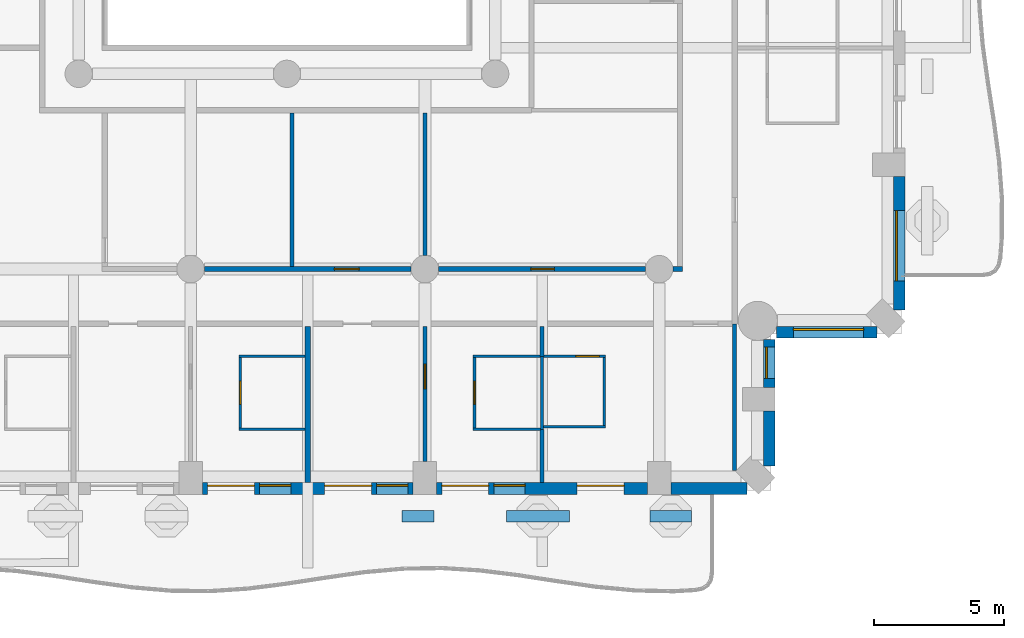
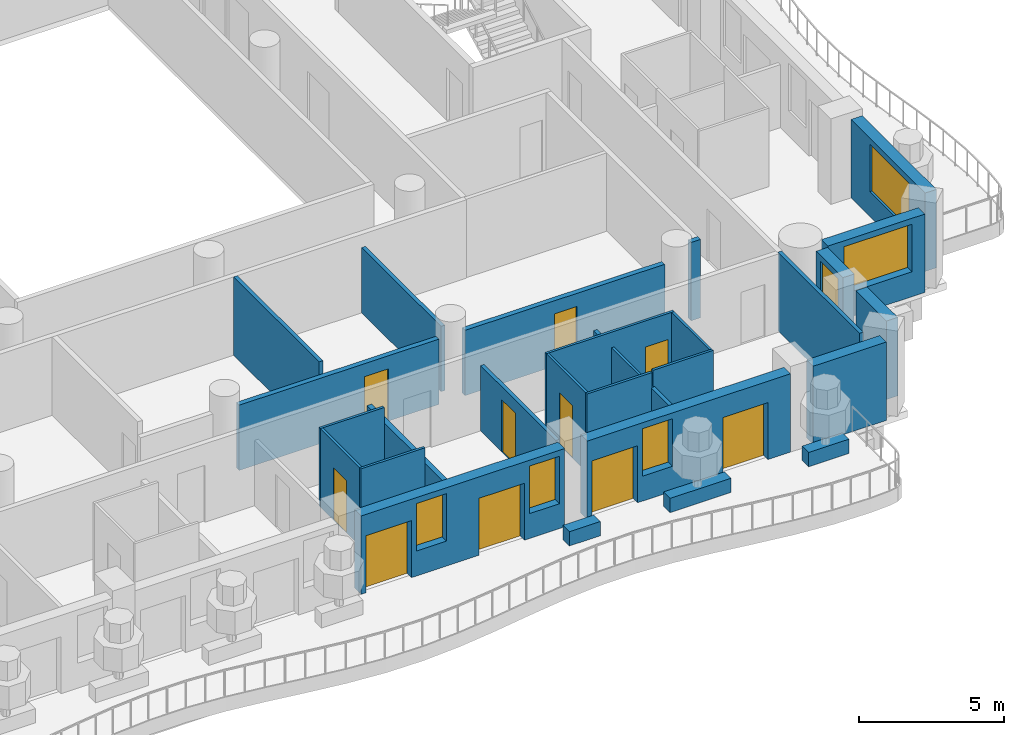
# One storey, part 5 of 19: 29 walls, 10 doors, 6 windows, 16 openings.
"""IFC4 building model written with IfcOpenShell, lengths in metres."""

from ifc_helpers import new_model, si_unit, direction, frame, frame_2d, origin, place, context, subcontext, project, spatial, rectangle, extrude, material, layer, layer_set, type_object, element, fill, save


model = new_model("IFC4")

# Units and contexts
model_context = context("Model", 3, precision=1e-05, world=origin(), true_north=direction((0.0, 1.0)))
body_context = subcontext(model_context, "Body", "Model", "MODEL_VIEW")
ifc_project = project(units=[si_unit("LENGTHUNIT", "METRE"), si_unit("AREAUNIT", "SQUARE_METRE"), si_unit("VOLUMEUNIT", "CUBIC_METRE"), si_unit("PLANEANGLEUNIT", "RADIAN"), si_unit("MASSUNIT", "GRAM", prefix="KILO")], contexts=[model_context])

# Site, building, storey
site_placement = place(None, origin())
site = spatial("IfcSite", under=ifc_project, at=site_placement, CompositionType="ELEMENT")
building_placement = place(site_placement, origin())
building = spatial("IfcBuilding", under=site, at=building_placement, Name="Cypress Arch Tower", CompositionType="ELEMENT")
storey_placement = place(building_placement, frame((0.0, 0.0, 138.300048828125)))
storey = spatial("IfcBuildingStorey", under=building, at=storey_placement, Name="L30", CompositionType="ELEMENT", Elevation=138.300048828125)

# Walls
ifc_material_1 = material(Name="Concrete C40/50, waterproofed", Category="concrete")
ifc_layer_1 = layer(ifc_material_1, 0.449951171875)
ifc_layer_set_1 = layer_set([ifc_layer_1], Name="Balcony planter wall PW450")
wall_type_1 = type_object("IfcWallType", Name="Balcony planter wall PW450", PredefinedType="SOLIDWALL", material=ifc_layer_set_1)
wall_1_placement = place(storey_placement, frame((5.419921875, -27.0, 0.0), z_axis=(0.0, 0.0, 1.0), x_axis=(1.0, 0.0, 0.0)))
element("IfcWall", 1, at=wall_1_placement, inside=storey, type_object=wall_type_1, Name="Balcony planter wall L30-A03.5", PredefinedType="SOLIDWALL", context=body_context, shape_type="SweptSolid", body=[
    extrude(rectangle(XDim=1.22998046875, YDim=0.449951171875, at=frame_2d((0.614990234375, 0.0))), origin(), (0.0, 0.0, 1.0), 0.599853515625),
])
wall_2_placement = place(storey_placement, frame((9.429931640625, -27.0, 0.0), z_axis=(0.0, 0.0, 1.0), x_axis=(1.0, 0.0, 0.0)))
element("IfcWall", 2, at=wall_2_placement, inside=storey, type_object=wall_type_1, Name="Balcony planter wall L30-A03.6", PredefinedType="SOLIDWALL", context=body_context, shape_type="SweptSolid", body=[
    extrude(rectangle(XDim=2.420166015625, YDim=0.449951171875, at=frame_2d((1.2099609375, 0.0))), origin(), (0.0, 0.0, 1.0), 0.599853515625),
])
wall_3_placement = place(storey_placement, frame((14.949951171875, -27.0, 0.0), z_axis=(0.0, 0.0, 1.0), x_axis=(1.0, 0.0, 0.0)))
element("IfcWall", 3, at=wall_3_placement, inside=storey, type_object=wall_type_1, Name="Balcony planter wall L30-A03.7", PredefinedType="SOLIDWALL", context=body_context, shape_type="SweptSolid", body=[
    extrude(rectangle(XDim=1.60009765625, YDim=0.449951171875, at=frame_2d((0.800048828125, 0.0))), origin(), (0.0, 0.0, 1.0), 0.599853515625),
])

# Wall, openings, doors, windows
ifc_material_2 = material(Name="Brick (red buff blend)", Category="masonry")
ifc_layer_2 = layer(ifc_material_2, 0.449951171875)
ifc_layer_set_2 = layer_set([ifc_layer_2], Name="Brick pier and spandrel wall BW450")
wall_type_2 = type_object("IfcWallType", Name="Brick pier and spandrel wall BW450", PredefinedType="SOLIDWALL", material=ifc_layer_set_2)
wall_4_placement = place(storey_placement, frame((-2.25, -25.925048828125, 0.0), z_axis=(0.0, 0.0, 1.0), x_axis=(1.0, 0.0, 0.0)))
wall_4 = element("IfcWall", 4, at=wall_4_placement, inside=storey, type_object=wall_type_2, Name="Brick wall L30 A03.3", PredefinedType="SOLIDWALL", context=body_context, shape_type="SweptSolid", body=[
    extrude(rectangle(XDim=8.10009765625, YDim=0.449951171875, at=frame_2d((4.050048828125, 0.0))), origin(), (0.0, 0.0, 1.0), 3.300048828125),
])
opening_1_placement = place(wall_4_placement, frame((0.199951171875, 0.0, 0.0)))
opening_1 = element("IfcOpeningElement", 5, at=opening_1_placement, cuts=wall_4, Name="Opening D-L30-A03.3.1", PredefinedType="OPENING", context=body_context, shape_type="SweptSolid", body=[
    extrude(rectangle(XDim=1.800048828125, YDim=2.39990234375, at=frame_2d((0.89990234375, 1.199951171875))), frame((0.0, 0.23486328125, 0.0), z_axis=(0.0, -1.0, 0.0), x_axis=(1.0, 0.0, 0.0)), (0.0, 0.0, 1.0), 0.469970703125),
])
opening_2_placement = place(wall_4_placement, frame((2.199951171875, 0.0, 1.050048828125)))
opening_2 = element("IfcOpeningElement", 6, at=opening_2_placement, cuts=wall_4, Name="Opening W120HD", PredefinedType="OPENING", context=body_context, shape_type="SweptSolid", body=[
    extrude(rectangle(XDim=1.199951171875, YDim=2.0, at=frame_2d((0.60009765625, 1.0))), frame((0.0, 0.23486328125, 0.0), z_axis=(0.0, -1.0, 0.0), x_axis=(1.0, 0.0, 0.0)), (0.0, 0.0, 1.0), 0.469970703125),
])
opening_3_placement = place(wall_4_placement, frame((4.699951171875, 0.0, 0.0)))
opening_3 = element("IfcOpeningElement", 7, at=opening_3_placement, cuts=wall_4, Name="Opening D-L30-A03.3.2", PredefinedType="OPENING", context=body_context, shape_type="SweptSolid", body=[
    extrude(rectangle(XDim=1.800048828125, YDim=2.39990234375, at=frame_2d((0.89990234375, 1.199951171875))), frame((0.0, 0.23486328125, 0.0), z_axis=(0.0, -1.0, 0.0), x_axis=(1.0, 0.0, 0.0)), (0.0, 0.0, 1.0), 0.469970703125),
])
opening_4_placement = place(wall_4_placement, frame((6.699951171875, 0.0, 1.050048828125)))
opening_4 = element("IfcOpeningElement", 8, at=opening_4_placement, cuts=wall_4, Name="Opening W120HD", PredefinedType="OPENING", context=body_context, shape_type="SweptSolid", body=[
    extrude(rectangle(XDim=1.199951171875, YDim=2.0, at=frame_2d((0.60009765625, 1.0))), frame((0.0, 0.23486328125, 0.0), z_axis=(0.0, -1.0, 0.0), x_axis=(1.0, 0.0, 0.0)), (0.0, 0.0, 1.0), 0.469970703125),
])
ifc_material_3 = material(Name="Anodised aluminium, bronze finish, laminated low-emissivity double glazing, large-missile impact rated", Category="aluminium")
door_type_1 = type_object("IfcDoorType", Name="Balcony sliding door 1800x2400", OperationType="SLIDING_TO_LEFT", PredefinedType="DOOR", material=ifc_material_3)
door_1_placement = place(opening_1_placement, origin())
door_1 = element("IfcDoor", 9, at=door_1_placement, inside=storey, type_object=door_type_1, Name="Balcony door L30 A03.3.1", OperationType="SLIDING_TO_LEFT", OverallHeight=2.39990234375, OverallWidth=1.800048828125, PredefinedType="DOOR", context=body_context, shape_type="SweptSolid", body=[
    extrude(rectangle(XDim=1.800048828125, YDim=2.39990234375, at=frame_2d((0.89990234375, 1.199951171875))), frame((0.0, 0.1298828125, 0.0), z_axis=(0.0, -1.0, 0.0), x_axis=(1.0, 0.0, 0.0)), (0.0, 0.0, 1.0), 0.050048828125),
])
fill(opening_1, door_1)
door_2_placement = place(opening_3_placement, origin())
door_2 = element("IfcDoor", 10, at=door_2_placement, inside=storey, type_object=door_type_1, Name="Balcony door L30 A03.3.2", OperationType="SLIDING_TO_LEFT", OverallHeight=2.39990234375, OverallWidth=1.800048828125, PredefinedType="DOOR", context=body_context, shape_type="SweptSolid", body=[
    extrude(rectangle(XDim=1.800048828125, YDim=2.39990234375, at=frame_2d((0.89990234375, 1.199951171875))), frame((0.0, 0.1298828125, 0.0), z_axis=(0.0, -1.0, 0.0), x_axis=(1.0, 0.0, 0.0)), (0.0, 0.0, 1.0), 0.050048828125),
])
fill(opening_3, door_2)
ifc_material_4 = material(Name="Anodised aluminium, bronze finish, laminated low-emissivity double glazing, large-missile impact rated", Category="aluminium")
window_type_1 = type_object("IfcWindowType", Name="Window Hotel 1200x2000 debris-rated", PartitioningType="SINGLE_PANEL", PredefinedType="WINDOW", material=ifc_material_4)
window_1_placement = place(opening_2_placement, origin())
window_1 = element("IfcWindow", 11, at=window_1_placement, inside=storey, type_object=window_type_1, Name="Window L30 A03.3.1", OverallHeight=2.0, OverallWidth=1.199951171875, PartitioningType="SINGLE_PANEL", PredefinedType="WINDOW", context=body_context, shape_type="SweptSolid", body=[
    extrude(rectangle(XDim=1.199951171875, YDim=2.0, at=frame_2d((0.60009765625, 1.0))), frame((0.0, 0.135009765625, 0.0), z_axis=(0.0, -1.0, 0.0), x_axis=(1.0, 0.0, 0.0)), (0.0, 0.0, 1.0), 0.06005859375),
])
fill(opening_2, window_1)
window_2_placement = place(opening_4_placement, origin())
window_2 = element("IfcWindow", 12, at=window_2_placement, inside=storey, type_object=window_type_1, Name="Window L30 A03.3.2", OverallHeight=2.0, OverallWidth=1.199951171875, PartitioningType="SINGLE_PANEL", PredefinedType="WINDOW", context=body_context, shape_type="SweptSolid", body=[
    extrude(rectangle(XDim=1.199951171875, YDim=2.0, at=frame_2d((0.60009765625, 1.0))), frame((0.0, 0.135009765625, 0.0), z_axis=(0.0, -1.0, 0.0), x_axis=(1.0, 0.0, 0.0)), (0.0, 0.0, 1.0), 0.06005859375),
])
fill(opening_4, window_2)

# Wall, openings, doors, window
wall_5_placement = place(storey_placement, frame((6.75, -25.925048828125, 0.0), z_axis=(0.0, 0.0, 1.0), x_axis=(1.0, 0.0, 0.0)))
wall_5 = element("IfcWall", 13, at=wall_5_placement, inside=storey, type_object=wall_type_2, Name="Brick wall L30 A03.4", PredefinedType="SOLIDWALL", context=body_context, shape_type="SweptSolid", body=[
    extrude(rectangle(XDim=8.10009765625, YDim=0.449951171875, at=frame_2d((4.050048828125, 0.0))), origin(), (0.0, 0.0, 1.0), 3.300048828125),
])
opening_5_placement = place(wall_5_placement, frame((0.199951171875, 0.0, 0.0)))
opening_5 = element("IfcOpeningElement", 14, at=opening_5_placement, cuts=wall_5, Name="Opening D-L30-A03.4.1", PredefinedType="OPENING", context=body_context, shape_type="SweptSolid", body=[
    extrude(rectangle(XDim=1.800048828125, YDim=2.39990234375, at=frame_2d((0.89990234375, 1.199951171875))), frame((0.0, 0.23486328125, 0.0), z_axis=(0.0, -1.0, 0.0), x_axis=(1.0, 0.0, 0.0)), (0.0, 0.0, 1.0), 0.469970703125),
])
opening_6_placement = place(wall_5_placement, frame((2.199951171875, 0.0, 1.050048828125)))
opening_6 = element("IfcOpeningElement", 15, at=opening_6_placement, cuts=wall_5, Name="Opening W120HD", PredefinedType="OPENING", context=body_context, shape_type="SweptSolid", body=[
    extrude(rectangle(XDim=1.199951171875, YDim=2.0, at=frame_2d((0.60009765625, 1.0))), frame((0.0, 0.23486328125, 0.0), z_axis=(0.0, -1.0, 0.0), x_axis=(1.0, 0.0, 0.0)), (0.0, 0.0, 1.0), 0.469970703125),
])
opening_7_placement = place(wall_5_placement, frame((5.39990234375, 0.0, 0.0)))
opening_7 = element("IfcOpeningElement", 16, at=opening_7_placement, cuts=wall_5, Name="Opening D-L30-A03.4.2", PredefinedType="OPENING", context=body_context, shape_type="SweptSolid", body=[
    extrude(rectangle(XDim=1.800048828125, YDim=2.39990234375, at=frame_2d((0.89990234375, 1.199951171875))), frame((0.0, 0.23486328125, 0.0), z_axis=(0.0, -1.0, 0.0), x_axis=(1.0, 0.0, 0.0)), (0.0, 0.0, 1.0), 0.469970703125),
])
door_3_placement = place(opening_5_placement, origin())
door_3 = element("IfcDoor", 17, at=door_3_placement, inside=storey, type_object=door_type_1, Name="Balcony door L30 A03.4.1", OperationType="SLIDING_TO_LEFT", OverallHeight=2.39990234375, OverallWidth=1.800048828125, PredefinedType="DOOR", context=body_context, shape_type="SweptSolid", body=[
    extrude(rectangle(XDim=1.800048828125, YDim=2.39990234375, at=frame_2d((0.89990234375, 1.199951171875))), frame((0.0, 0.1298828125, 0.0), z_axis=(0.0, -1.0, 0.0), x_axis=(1.0, 0.0, 0.0)), (0.0, 0.0, 1.0), 0.050048828125),
])
fill(opening_5, door_3)
door_4_placement = place(opening_7_placement, origin())
door_4 = element("IfcDoor", 18, at=door_4_placement, inside=storey, type_object=door_type_1, Name="Balcony door L30 A03.4.2", OperationType="SLIDING_TO_LEFT", OverallHeight=2.39990234375, OverallWidth=1.800048828125, PredefinedType="DOOR", context=body_context, shape_type="SweptSolid", body=[
    extrude(rectangle(XDim=1.800048828125, YDim=2.39990234375, at=frame_2d((0.89990234375, 1.199951171875))), frame((0.0, 0.1298828125, 0.0), z_axis=(0.0, -1.0, 0.0), x_axis=(1.0, 0.0, 0.0)), (0.0, 0.0, 1.0), 0.050048828125),
])
fill(opening_7, door_4)
window_3_placement = place(opening_6_placement, origin())
window_3 = element("IfcWindow", 19, at=window_3_placement, inside=storey, type_object=window_type_1, Name="Window L30 A03.4.1", OverallHeight=2.0, OverallWidth=1.199951171875, PartitioningType="SINGLE_PANEL", PredefinedType="WINDOW", context=body_context, shape_type="SweptSolid", body=[
    extrude(rectangle(XDim=1.199951171875, YDim=2.0, at=frame_2d((0.60009765625, 1.0))), frame((0.0, 0.135009765625, 0.0), z_axis=(0.0, -1.0, 0.0), x_axis=(1.0, 0.0, 0.0)), (0.0, 0.0, 1.0), 0.06005859375),
])
fill(opening_6, window_3)

# Walls
wall_6_placement = place(storey_placement, frame((15.75, -25.925048828125, 0.0), z_axis=(0.0, 0.0, 1.0), x_axis=(1.0, 0.0, 0.0)))
element("IfcWall", 20, at=wall_6_placement, inside=storey, type_object=wall_type_2, Name="Brick wall L30 A03.5", PredefinedType="SOLIDWALL", context=body_context, shape_type="SweptSolid", body=[
    extrude(rectangle(XDim=2.91357421875, YDim=0.449951171875, at=frame_2d((1.456787109375, 0.0))), origin(), (0.0, 0.0, 1.0), 3.300048828125),
])
wall_7_placement = place(storey_placement, frame((19.52490234375, -25.063720703125, 0.0), z_axis=(0.0, 0.0, 1.0), x_axis=(0.0, 1.0, 0.0)))
element("IfcWall", 21, at=wall_7_placement, inside=storey, type_object=wall_type_2, Name="Brick wall L30 A04.0", PredefinedType="SOLIDWALL", context=body_context, shape_type="SweptSolid", body=[
    extrude(rectangle(XDim=2.11376953125, YDim=0.449951171875, at=frame_2d((1.056884765625, 0.0))), origin(), (0.0, 0.0, 1.0), 3.300048828125),
])

# Wall, opening, window
wall_8_placement = place(storey_placement, frame((19.52490234375, -22.050048828125, 0.0), z_axis=(0.0, 0.0, 1.0), x_axis=(0.0, 1.0, 0.0)))
wall_8 = element("IfcWall", 22, at=wall_8_placement, inside=storey, type_object=wall_type_2, Name="Brick wall L30 A04.1", PredefinedType="SOLIDWALL", context=body_context, shape_type="SweptSolid", body=[
    extrude(rectangle(XDim=1.843017578125, YDim=0.449951171875, at=frame_2d((0.92138671875, 0.0))), origin(), (0.0, 0.0, 1.0), 3.300048828125),
])
opening_8_placement = place(wall_8_placement, frame((0.35009765625, 0.0, 1.050048828125)))
opening_8 = element("IfcOpeningElement", 23, at=opening_8_placement, cuts=wall_8, Name="Opening W120H", PredefinedType="OPENING", context=body_context, shape_type="SweptSolid", body=[
    extrude(rectangle(XDim=1.199951171875, YDim=2.0, at=frame_2d((0.60009765625, 1.0))), frame((0.0, 0.23486328125, 0.0), z_axis=(0.0, -1.0, 0.0), x_axis=(1.0, 0.0, 0.0)), (0.0, 0.0, 1.0), 0.469970703125),
])
ifc_material_5 = material(Name="Anodised aluminium, bronze finish, clear low-emissivity double glazing", Category="aluminium")
window_type_2 = type_object("IfcWindowType", Name="Window Hotel 1200x2000", PartitioningType="SINGLE_PANEL", PredefinedType="WINDOW", material=ifc_material_5)
window_4_placement = place(opening_8_placement, origin())
window_4 = element("IfcWindow", 24, at=window_4_placement, inside=storey, type_object=window_type_2, Name="Window L30 A04.1.1", OverallHeight=2.0, OverallWidth=1.199951171875, PartitioningType="SINGLE_PANEL", PredefinedType="WINDOW", context=body_context, shape_type="SweptSolid", body=[
    extrude(rectangle(XDim=1.199951171875, YDim=2.0, at=frame_2d((0.60009765625, 1.0))), frame((0.0, 0.135009765625, 0.0), z_axis=(0.0, -1.0, 0.0), x_axis=(1.0, 0.0, 0.0)), (0.0, 0.0, 1.0), 0.06005859375),
])
fill(opening_8, window_4)

wall_9_placement = place(storey_placement, frame((19.806884765625, -19.925048828125, 0.0), z_axis=(0.0, 0.0, 1.0), x_axis=(1.0, 0.0, 0.0)))
wall_9 = element("IfcWall", 25, at=wall_9_placement, inside=storey, type_object=wall_type_2, Name="Brick wall L30 A05.0", PredefinedType="SOLIDWALL", context=body_context, shape_type="SweptSolid", body=[
    extrude(rectangle(XDim=3.856689453125, YDim=0.449951171875, at=frame_2d((1.92822265625, 0.0))), origin(), (0.0, 0.0, 1.0), 3.300048828125),
])
opening_9_placement = place(wall_9_placement, frame((0.64306640625, 0.0, 1.050048828125)))
opening_9 = element("IfcOpeningElement", 26, at=opening_9_placement, cuts=wall_9, Name="Opening W270H", PredefinedType="OPENING", context=body_context, shape_type="SweptSolid", body=[
    extrude(rectangle(XDim=2.699951171875, YDim=2.0, at=frame_2d((1.35009765625, 1.0))), frame((0.0, 0.23486328125, 0.0), z_axis=(0.0, -1.0, 0.0), x_axis=(1.0, 0.0, 0.0)), (0.0, 0.0, 1.0), 0.469970703125),
])
ifc_material_6 = material(Name="Anodised aluminium, bronze finish, clear low-emissivity double glazing", Category="aluminium")
window_type_3 = type_object("IfcWindowType", Name="Window Hotel 2700x2000", PartitioningType="SINGLE_PANEL", PredefinedType="WINDOW", material=ifc_material_6)
window_5_placement = place(opening_9_placement, origin())
window_5 = element("IfcWindow", 27, at=window_5_placement, inside=storey, type_object=window_type_3, Name="Window L30 A05.0.1", OverallHeight=2.0, OverallWidth=2.699951171875, PartitioningType="SINGLE_PANEL", PredefinedType="WINDOW", context=body_context, shape_type="SweptSolid", body=[
    extrude(rectangle(XDim=2.699951171875, YDim=2.0, at=frame_2d((1.35009765625, 1.0))), frame((0.0, 0.135009765625, 0.0), z_axis=(0.0, -1.0, 0.0), x_axis=(1.0, 0.0, 0.0)), (0.0, 0.0, 1.0), 0.06005859375),
])
fill(opening_9, window_5)

wall_10_placement = place(storey_placement, frame((24.52490234375, -19.063720703125, 0.0), z_axis=(0.0, 0.0, 1.0), x_axis=(0.0, 1.0, 0.0)))
wall_10 = element("IfcWall", 28, at=wall_10_placement, inside=storey, type_object=wall_type_2, Name="Brick wall L30 A06.0", PredefinedType="SOLIDWALL", context=body_context, shape_type="SweptSolid", body=[
    extrude(rectangle(XDim=5.11376953125, YDim=0.449951171875, at=frame_2d((2.556884765625, 0.0))), origin(), (0.0, 0.0, 1.0), 3.300048828125),
])
opening_10_placement = place(wall_10_placement, frame((1.113525390625, 0.0, 1.050048828125)))
opening_10 = element("IfcOpeningElement", 29, at=opening_10_placement, cuts=wall_10, Name="Opening W270HD", PredefinedType="OPENING", context=body_context, shape_type="SweptSolid", body=[
    extrude(rectangle(XDim=2.699951171875, YDim=2.0, at=frame_2d((1.35009765625, 1.0))), frame((0.0, 0.23486328125, 0.0), z_axis=(0.0, -1.0, 0.0), x_axis=(1.0, 0.0, 0.0)), (0.0, 0.0, 1.0), 0.469970703125),
])
ifc_material_7 = material(Name="Anodised aluminium, bronze finish, laminated low-emissivity double glazing, large-missile impact rated", Category="aluminium")
window_type_4 = type_object("IfcWindowType", Name="Window Hotel 2700x2000 debris-rated", PartitioningType="SINGLE_PANEL", PredefinedType="WINDOW", material=ifc_material_7)
window_6_placement = place(opening_10_placement, origin())
window_6 = element("IfcWindow", 30, at=window_6_placement, inside=storey, type_object=window_type_4, Name="Window L30 A06.0.1", OverallHeight=2.0, OverallWidth=2.699951171875, PartitioningType="SINGLE_PANEL", PredefinedType="WINDOW", context=body_context, shape_type="SweptSolid", body=[
    extrude(rectangle(XDim=2.699951171875, YDim=2.0, at=frame_2d((1.35009765625, 1.0))), frame((0.0, 0.135009765625, 0.0), z_axis=(0.0, -1.0, 0.0), x_axis=(1.0, 0.0, 0.0)), (0.0, 0.0, 1.0), 0.06005859375),
])
fill(opening_10, window_6)

# Wall, opening, door
ifc_material_8 = material(Name="Concrete blockwork, plastered, rated", Category="masonry")
ifc_layer_3 = layer(ifc_material_8, 0.199951171875)
ifc_layer_set_3 = layer_set([ifc_layer_3], Name="Corridor wall FW200")
wall_type_3 = type_object("IfcWallType", Name="Corridor wall FW200", PredefinedType="PARTITIONING", material=ifc_layer_set_3)
wall_11_placement = place(storey_placement, frame((-2.175048828125, -17.5, 0.0), z_axis=(0.0, 0.0, 1.0), x_axis=(1.0, 0.0, 0.0)))
wall_11 = element("IfcWall", 31, at=wall_11_placement, inside=storey, type_object=wall_type_3, Name="Corridor wall", PredefinedType="PARTITIONING", context=body_context, shape_type="SweptSolid", body=[
    extrude(rectangle(XDim=7.949951171875, YDim=0.199951171875, at=frame_2d((3.97509765625, 0.0))), origin(), (0.0, 0.0, 1.0), 2.75),
])
opening_11_placement = place(wall_11_placement, frame((5.0, 0.0, 0.0)))
opening_11 = element("IfcOpeningElement", 32, at=opening_11_placement, cuts=wall_11, Name="Opening D02", PredefinedType="OPENING", context=body_context, shape_type="SweptSolid", body=[
    extrude(rectangle(XDim=0.949951171875, YDim=2.199951171875, at=frame_2d((0.47509765625, 1.10009765625))), frame((0.0, 0.10986328125, 0.0), z_axis=(0.0, -1.0, 0.0), x_axis=(1.0, 0.0, 0.0)), (0.0, 0.0, 1.0), 0.219970703125),
])
ifc_material_9 = material(Name="Timber flush door, fire resisting", Category="wood")
door_type_2 = type_object("IfcDoorType", Name="Room door D02 950x2200", OperationType="SINGLE_SWING_LEFT", PredefinedType="DOOR", material=ifc_material_9)
door_5_placement = place(opening_11_placement, origin())
door_5 = element("IfcDoor", 33, at=door_5_placement, inside=storey, type_object=door_type_2, Name="Room door", OperationType="SINGLE_SWING_LEFT", OverallHeight=2.199951171875, OverallWidth=0.949951171875, PredefinedType="DOOR", context=body_context, shape_type="SweptSolid", body=[
    extrude(rectangle(XDim=0.949951171875, YDim=2.199951171875, at=frame_2d((0.47509765625, 1.10009765625))), frame((0.0, 0.02490234375, 0.0), z_axis=(0.0, -1.0, 0.0), x_axis=(1.0, 0.0, 0.0)), (0.0, 0.0, 1.0), 0.050048828125),
])
fill(opening_11, door_5)

wall_12_placement = place(storey_placement, frame((6.824951171875, -17.5, 0.0), z_axis=(0.0, 0.0, 1.0), x_axis=(1.0, 0.0, 0.0)))
wall_12 = element("IfcWall", 34, at=wall_12_placement, inside=storey, type_object=wall_type_3, Name="Corridor wall", PredefinedType="PARTITIONING", context=body_context, shape_type="SweptSolid", body=[
    extrude(rectangle(XDim=7.949951171875, YDim=0.199951171875, at=frame_2d((3.97509765625, 0.0))), origin(), (0.0, 0.0, 1.0), 2.75),
])
opening_12_placement = place(wall_12_placement, frame((3.550048828125, 0.0, 0.0)))
opening_12 = element("IfcOpeningElement", 35, at=opening_12_placement, cuts=wall_12, Name="Opening D05", PredefinedType="OPENING", context=body_context, shape_type="SweptSolid", body=[
    extrude(rectangle(XDim=0.89990234375, YDim=2.199951171875, at=frame_2d((0.449951171875, 1.10009765625))), frame((0.0, 0.10986328125, 0.0), z_axis=(0.0, -1.0, 0.0), x_axis=(1.0, 0.0, 0.0)), (0.0, 0.0, 1.0), 0.219970703125),
])
ifc_material_10 = material(Name="Timber flush door", Category="wood")
door_type_3 = type_object("IfcDoorType", Name="Service door D05 900x2200", OperationType="SINGLE_SWING_LEFT", PredefinedType="DOOR", material=ifc_material_10)
door_6_placement = place(opening_12_placement, origin())
door_6 = element("IfcDoor", 36, at=door_6_placement, inside=storey, type_object=door_type_3, Name="Service door", OperationType="SINGLE_SWING_RIGHT", OverallHeight=2.199951171875, OverallWidth=0.89990234375, PredefinedType="DOOR", context=body_context, shape_type="SweptSolid", body=[
    extrude(rectangle(XDim=0.89990234375, YDim=2.199951171875, at=frame_2d((0.449951171875, 1.10009765625))), frame((0.0, 0.02490234375, 0.0), z_axis=(0.0, -1.0, 0.0), x_axis=(1.0, 0.0, 0.0)), (0.0, 0.0, 1.0), 0.050048828125),
])
fill(opening_12, door_6)

# Walls
wall_13_placement = place(storey_placement, frame((15.824951171875, -17.5, 0.0), z_axis=(0.0, 0.0, 1.0), x_axis=(1.0, 0.0, 0.0)))
element("IfcWall", 37, at=wall_13_placement, inside=storey, type_object=wall_type_3, Name="Corridor wall", PredefinedType="PARTITIONING", context=body_context, shape_type="SweptSolid", body=[
    extrude(rectangle(XDim=0.375, YDim=0.199951171875, at=frame_2d((0.1875, 0.0))), origin(), (0.0, 0.0, 1.0), 3.300048828125),
])
ifc_material_11 = material(Name="Blockwork, plastered both sides", Category="masonry")
ifc_layer_4 = layer(ifc_material_11, 0.14990234375)
ifc_layer_set_4 = layer_set([ifc_layer_4], Name="Partition PW150")
wall_type_4 = type_object("IfcWallType", Name="Partition PW150", PredefinedType="PARTITIONING", material=ifc_layer_set_4)
wall_14_placement = place(storey_placement, frame((1.199951171875, -17.39990234375, 0.0), z_axis=(0.0, 0.0, 1.0), x_axis=(0.0, 1.0, 0.0)))
element("IfcWall", 38, at=wall_14_placement, inside=storey, type_object=wall_type_4, Name="Partition", PredefinedType="PARTITIONING", context=body_context, shape_type="SweptSolid", body=[
    extrude(rectangle(XDim=5.89990234375, YDim=0.14990234375, at=frame_2d((2.949951171875, 0.0))), origin(), (0.0, 0.0, 1.0), 3.300048828125),
])

# Wall, opening, door
wall_15_placement = place(storey_placement, frame((6.300048828125, -24.89990234375, 0.0), z_axis=(0.0, 0.0, 1.0), x_axis=(0.0, 1.0, 0.0)))
wall_15 = element("IfcWall", 39, at=wall_15_placement, inside=storey, type_object=wall_type_4, Name="Partition", PredefinedType="PARTITIONING", context=body_context, shape_type="SweptSolid", body=[
    extrude(rectangle(XDim=5.199951171875, YDim=0.14990234375, at=frame_2d((2.60009765625, 0.0))), origin(), (0.0, 0.0, 1.0), 2.75),
])
opening_13_placement = place(wall_15_placement, frame((2.800048828125, 0.0, 0.0)))
opening_13 = element("IfcOpeningElement", 40, at=opening_13_placement, cuts=wall_15, Name="Opening D12", PredefinedType="OPENING", context=body_context, shape_type="SweptSolid", body=[
    extrude(rectangle(XDim=0.949951171875, YDim=2.199951171875, at=frame_2d((0.47509765625, 1.10009765625))), frame((0.0, 0.0849609375, 0.0), z_axis=(0.0, -1.0, 0.0), x_axis=(1.0, 0.0, 0.0)), (0.0, 0.0, 1.0), 0.169921875),
])
ifc_material_12 = material(Name="Timber flush door", Category="wood")
door_type_4 = type_object("IfcDoorType", Name="Room door D12 950x2200", OperationType="SINGLE_SWING_LEFT", PredefinedType="DOOR", material=ifc_material_12)
door_7_placement = place(opening_13_placement, origin())
door_7 = element("IfcDoor", 41, at=door_7_placement, inside=storey, type_object=door_type_4, Name="Room door", OperationType="SINGLE_SWING_RIGHT", OverallHeight=2.199951171875, OverallWidth=0.949951171875, PredefinedType="DOOR", context=body_context, shape_type="SweptSolid", body=[
    extrude(rectangle(XDim=0.949951171875, YDim=2.199951171875, at=frame_2d((0.47509765625, 1.10009765625))), frame((0.0, 0.02490234375, 0.0), z_axis=(0.0, -1.0, 0.0), x_axis=(1.0, 0.0, 0.0)), (0.0, 0.0, 1.0), 0.050048828125),
])
fill(opening_13, door_7)

# Walls
wall_16_placement = place(storey_placement, frame((6.300048828125, -16.97509765625, 0.0), z_axis=(0.0, 0.0, 1.0), x_axis=(0.0, 1.0, 0.0)))
element("IfcWall", 42, at=wall_16_placement, inside=storey, type_object=wall_type_4, Name="Partition", PredefinedType="PARTITIONING", context=body_context, shape_type="SweptSolid", body=[
    extrude(rectangle(XDim=5.47509765625, YDim=0.14990234375, at=frame_2d((2.737548828125, 0.0))), origin(), (0.0, 0.0, 1.0), 2.75),
])
wall_17_placement = place(storey_placement, frame((10.800048828125, -25.699951171875, 0.0), z_axis=(0.0, 0.0, 1.0), x_axis=(0.0, 1.0, 0.0)))
element("IfcWall", 43, at=wall_17_placement, inside=storey, type_object=wall_type_4, Name="Partition", PredefinedType="PARTITIONING", context=body_context, shape_type="SweptSolid", body=[
    extrude(rectangle(XDim=2.030029296875, YDim=0.14990234375, at=frame_2d((1.01513671875, 0.0))), origin(), (0.0, 0.0, 1.0), 2.64990234375),
])
wall_18_placement = place(storey_placement, frame((10.800048828125, -20.85009765625, 0.0), z_axis=(0.0, 0.0, 1.0), x_axis=(0.0, 1.0, 0.0)))
element("IfcWall", 44, at=wall_18_placement, inside=storey, type_object=wall_type_4, Name="Partition", PredefinedType="PARTITIONING", context=body_context, shape_type="SweptSolid", body=[
    extrude(rectangle(XDim=1.150146484375, YDim=0.14990234375, at=frame_2d((0.5751953125, 0.0))), origin(), (0.0, 0.0, 1.0), 2.64990234375),
])
wall_19_placement = place(storey_placement, frame((18.199951171875, -25.239990234375, 0.0), z_axis=(0.0, 0.0, 1.0), x_axis=(0.0, 1.0, 0.0)))
element("IfcWall", 45, at=wall_19_placement, inside=storey, type_object=wall_type_4, Name="Partition", PredefinedType="PARTITIONING", context=body_context, shape_type="SweptSolid", body=[
    extrude(rectangle(XDim=5.639892578125, YDim=0.14990234375, at=frame_2d((2.81982421875, 0.0))), origin(), (0.0, 0.0, 1.0), 3.300048828125),
])
ifc_material_13 = material(Name="Dense blockwork, plastered both sides, acoustic and rated", Category="masonry")
ifc_layer_5 = layer(ifc_material_13, 0.199951171875)
ifc_layer_set_5 = layer_set([ifc_layer_5], Name="Party wall PW200")
wall_type_5 = type_object("IfcWallType", Name="Party wall PW200", PredefinedType="PARTITIONING", material=ifc_layer_set_5)
wall_20_placement = place(storey_placement, frame((1.800048828125, -25.699951171875, 0.0), z_axis=(0.0, 0.0, 1.0), x_axis=(0.0, 1.0, 0.0)))
element("IfcWall", 46, at=wall_20_placement, inside=storey, type_object=wall_type_5, Name="Party wall", PredefinedType="PARTITIONING", context=body_context, shape_type="SweptSolid", body=[
    extrude(rectangle(XDim=6.0, YDim=0.199951171875, at=frame_2d((3.0, 0.0))), origin(), (0.0, 0.0, 1.0), 2.64990234375),
])

# Wall, opening, door
ifc_material_14 = material(Name="Moisture resistant board on steel studs, tiled", Category="steel")
ifc_layer_6 = layer(ifc_material_14, 0.10009765625)
ifc_layer_set_6 = layer_set([ifc_layer_6], Name="Wet wall PW100")
wall_type_6 = type_object("IfcWallType", Name="Wet wall PW100", PredefinedType="PARTITIONING", material=ifc_layer_set_6)
wall_21_placement = place(storey_placement, frame((-0.7958984375, -23.60009765625, 0.0), z_axis=(0.0, 0.0, 1.0), x_axis=(0.0, 1.0, 0.0)))
wall_21 = element("IfcWall", 47, at=wall_21_placement, inside=storey, type_object=wall_type_6, Name="Wet wall", PredefinedType="PARTITIONING", context=body_context, shape_type="SweptSolid", body=[
    extrude(rectangle(XDim=2.7001953125, YDim=0.10009765625, at=frame_2d((1.35009765625, 0.0))), origin(), (0.0, 0.0, 1.0), 3.300048828125),
])
opening_14_placement = place(wall_21_placement, frame((0.89990234375, 0.0, 0.0)))
opening_14 = element("IfcOpeningElement", 48, at=opening_14_placement, cuts=wall_21, Name="Opening D03", PredefinedType="OPENING", context=body_context, shape_type="SweptSolid", body=[
    extrude(rectangle(XDim=0.89990234375, YDim=2.199951171875, at=frame_2d((0.449951171875, 1.10009765625))), frame((0.0, 0.06005859375, 0.0), z_axis=(0.0, -1.0, 0.0), x_axis=(1.0, 0.0, 0.0)), (0.0, 0.0, 1.0), 0.1201171875),
])
ifc_material_15 = material(Name="Timber flush door, moisture resistant", Category="wood")
door_type_5 = type_object("IfcDoorType", Name="Bathroom door D03 900x2200", OperationType="SINGLE_SWING_LEFT", PredefinedType="DOOR", material=ifc_material_15)
door_8_placement = place(opening_14_placement, origin())
door_8 = element("IfcDoor", 49, at=door_8_placement, inside=storey, type_object=door_type_5, Name="Bathroom door", OperationType="SINGLE_SWING_LEFT", OverallHeight=2.199951171875, OverallWidth=0.89990234375, PredefinedType="DOOR", context=body_context, shape_type="SweptSolid", body=[
    extrude(rectangle(XDim=0.89990234375, YDim=2.199951171875, at=frame_2d((0.449951171875, 1.10009765625))), frame((0.0, 0.02490234375, 0.0), z_axis=(0.0, -1.0, 0.0), x_axis=(1.0, 0.0, 0.0)), (0.0, 0.0, 1.0), 0.050048828125),
])
fill(opening_14, door_8)

# Walls
for number, where, z_axis, x_axis, name in (
    (50, (-0.845947265625, -23.64990234375, 0.0), (0.0, 0.0, 1.0), (1.0, 0.0, 0.0), "Wet wall"),
    (51, (-0.845947265625, -20.85009765625, 0.0), (0.0, 0.0, 1.0), (1.0, 0.0, 0.0), "Wet wall"),
):
    element("IfcWall", number, at=place(storey_placement, frame(where, z_axis=z_axis, x_axis=x_axis)), inside=storey, type_object=wall_type_6, Name=name, PredefinedType="PARTITIONING", context=body_context, shape_type="SweptSolid", body=[
        extrude(rectangle(XDim=2.5458984375, YDim=0.10009765625, at=frame_2d((1.27294921875, 0.0))), origin(), (0.0, 0.0, 1.0), 3.300048828125),
    ])

# Wall, opening, door
wall_22_placement = place(storey_placement, frame((8.2041015625, -23.60009765625, 0.0), z_axis=(0.0, 0.0, 1.0), x_axis=(0.0, 1.0, 0.0)))
wall_22 = element("IfcWall", 52, at=wall_22_placement, inside=storey, type_object=wall_type_6, Name="Wet wall", PredefinedType="PARTITIONING", context=body_context, shape_type="SweptSolid", body=[
    extrude(rectangle(XDim=2.7001953125, YDim=0.10009765625, at=frame_2d((1.35009765625, 0.0))), origin(), (0.0, 0.0, 1.0), 3.300048828125),
])
opening_15_placement = place(wall_22_placement, frame((0.89990234375, 0.0, 0.0)))
opening_15 = element("IfcOpeningElement", 53, at=opening_15_placement, cuts=wall_22, Name="Opening D03", PredefinedType="OPENING", context=body_context, shape_type="SweptSolid", body=[
    extrude(rectangle(XDim=0.89990234375, YDim=2.199951171875, at=frame_2d((0.449951171875, 1.10009765625))), frame((0.0, 0.06005859375, 0.0), z_axis=(0.0, -1.0, 0.0), x_axis=(1.0, 0.0, 0.0)), (0.0, 0.0, 1.0), 0.1201171875),
])
door_9_placement = place(opening_15_placement, origin())
door_9 = element("IfcDoor", 54, at=door_9_placement, inside=storey, type_object=door_type_5, Name="Bathroom door", OperationType="SINGLE_SWING_LEFT", OverallHeight=2.199951171875, OverallWidth=0.89990234375, PredefinedType="DOOR", context=body_context, shape_type="SweptSolid", body=[
    extrude(rectangle(XDim=0.89990234375, YDim=2.199951171875, at=frame_2d((0.449951171875, 1.10009765625))), frame((0.0, 0.02490234375, 0.0), z_axis=(0.0, -1.0, 0.0), x_axis=(1.0, 0.0, 0.0)), (0.0, 0.0, 1.0), 0.050048828125),
])
fill(opening_15, door_9)

# Wall
wall_23_placement = place(storey_placement, frame((8.154052734375, -23.64990234375, 0.0), z_axis=(0.0, 0.0, 1.0), x_axis=(1.0, 0.0, 0.0)))
element("IfcWall", 55, at=wall_23_placement, inside=storey, type_object=wall_type_6, Name="Wet wall", PredefinedType="PARTITIONING", context=body_context, shape_type="SweptSolid", body=[
    extrude(rectangle(XDim=2.595947265625, YDim=0.10009765625, at=frame_2d((1.2978515625, 0.0))), origin(), (0.0, 0.0, 1.0), 3.300048828125),
])

# Wall, opening, door
wall_24_placement = place(storey_placement, frame((8.154052734375, -20.85009765625, 0.0), z_axis=(0.0, 0.0, 1.0), x_axis=(1.0, 0.0, 0.0)))
wall_24 = element("IfcWall", 56, at=wall_24_placement, inside=storey, type_object=wall_type_6, Name="Wet wall", PredefinedType="PARTITIONING", context=body_context, shape_type="SweptSolid", body=[
    extrude(rectangle(XDim=5.092041015625, YDim=0.10009765625, at=frame_2d((2.5458984375, 0.0))), origin(), (0.0, 0.0, 1.0), 3.300048828125),
])
opening_16_placement = place(wall_24_placement, frame((3.949951171875, 0.0, 0.0)))
opening_16 = element("IfcOpeningElement", 57, at=opening_16_placement, cuts=wall_24, Name="Opening D03", PredefinedType="OPENING", context=body_context, shape_type="SweptSolid", body=[
    extrude(rectangle(XDim=0.89990234375, YDim=2.199951171875, at=frame_2d((0.449951171875, 1.10009765625))), frame((0.0, 0.06005859375, 0.0), z_axis=(0.0, -1.0, 0.0), x_axis=(1.0, 0.0, 0.0)), (0.0, 0.0, 1.0), 0.1201171875),
])
door_10_placement = place(opening_16_placement, origin())
door_10 = element("IfcDoor", 58, at=door_10_placement, inside=storey, type_object=door_type_5, Name="Bathroom door", OperationType="SINGLE_SWING_LEFT", OverallHeight=2.199951171875, OverallWidth=0.89990234375, PredefinedType="DOOR", context=body_context, shape_type="SweptSolid", body=[
    extrude(rectangle(XDim=0.89990234375, YDim=2.199951171875, at=frame_2d((0.449951171875, 1.10009765625))), frame((0.0, 0.02490234375, 0.0), z_axis=(0.0, -1.0, 0.0), x_axis=(1.0, 0.0, 0.0)), (0.0, 0.0, 1.0), 0.050048828125),
])
fill(opening_16, door_10)

# Walls
wall_25_placement = place(storey_placement, frame((10.800048828125, -23.669921875, 0.0), z_axis=(0.0, 0.0, 1.0), x_axis=(0.0, 1.0, 0.0)))
element("IfcWall", 59, at=wall_25_placement, inside=storey, type_object=wall_type_6, Name="Wet wall", PredefinedType="PARTITIONING", context=body_context, shape_type="SweptSolid", body=[
    extrude(rectangle(XDim=2.81982421875, YDim=0.10009765625, at=frame_2d((1.409912109375, 0.0))), origin(), (0.0, 0.0, 1.0), 2.64990234375),
])
wall_26_placement = place(storey_placement, frame((10.85009765625, -23.550048828125, 0.0), z_axis=(0.0, 0.0, 1.0), x_axis=(1.0, 0.0, 0.0)))
element("IfcWall", 60, at=wall_26_placement, inside=storey, type_object=wall_type_6, Name="Wet wall", PredefinedType="PARTITIONING", context=body_context, shape_type="SweptSolid", body=[
    extrude(rectangle(XDim=2.39599609375, YDim=0.10009765625, at=frame_2d((1.197998046875, 0.0))), origin(), (0.0, 0.0, 1.0), 3.300048828125),
])
wall_27_placement = place(storey_placement, frame((13.196044921875, -23.5, 0.0), z_axis=(0.0, 0.0, 1.0), x_axis=(0.0, 1.0, 0.0)))
element("IfcWall", 61, at=wall_27_placement, inside=storey, type_object=wall_type_6, Name="Wet wall", PredefinedType="PARTITIONING", context=body_context, shape_type="SweptSolid", body=[
    extrude(rectangle(XDim=2.60009765625, YDim=0.10009765625, at=frame_2d((1.300048828125, 0.0))), origin(), (0.0, 0.0, 1.0), 3.300048828125),
])

save(model, "model.ifc")
